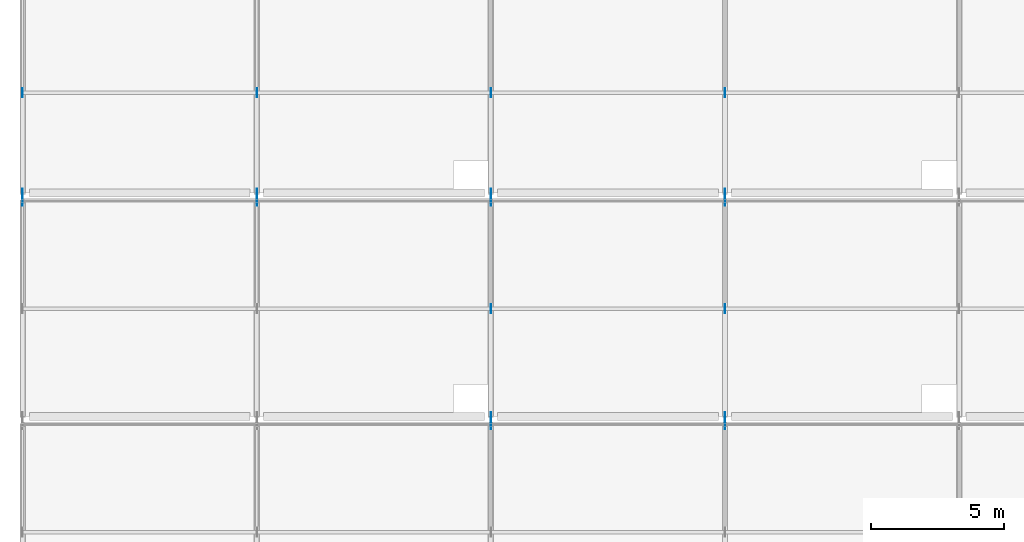
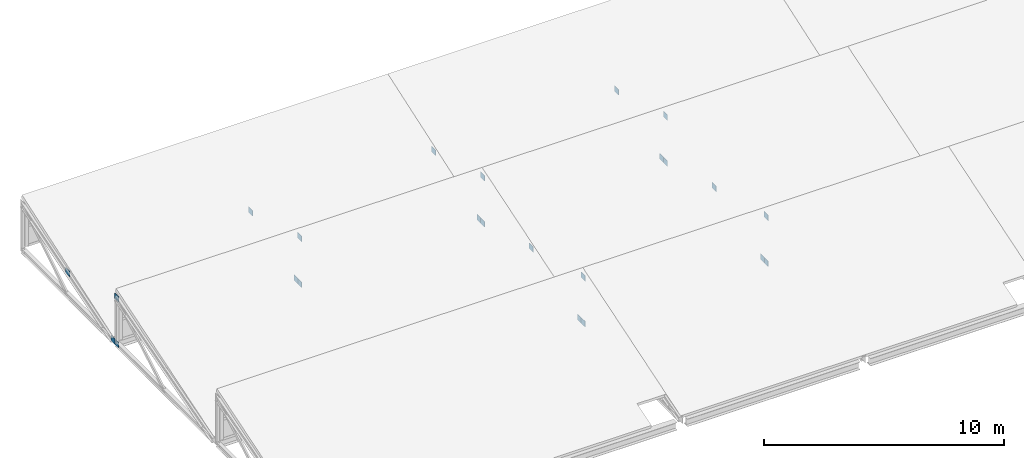
# One storey, part 31 of 40: 24 plates.
"""IFC4 building model written with IfcOpenShell, lengths in metres."""

import ifcopenshell
import ifcopenshell.guid

model = None  # the IFC model being written
_history = None  # IfcOwnerHistory: only IFC2X3 demands one
_inside = {}  # id of a spatial element -> (the spatial element, [elements in it])
_under = {}  # id of a project, library or spatial element -> (it, [spatial elements below it])
_declared = {}  # id of a project -> (the project, [libraries it declares])
_typed = {}  # id of a type object -> (the type object, [elements of that type])
_made_of = {}  # id of a material, layer set ... -> (it, [elements and type objects made of it])


def new_model(schema):
    """Start an empty IFC model of exactly this schema.

    Asked for "IFC4X3", IfcOpenShell would pick the latest addendum, in which some entities
    have other attributes; the version numbers below select the first issue.
    IFC2X3 requires an IfcOwnerHistory on every rooted entity: one is made here for all.
    """
    global model, _history
    if schema == "IFC4X3":
        model = ifcopenshell.file(schema_version=(4, 3, 0, 0))
    else:
        model = ifcopenshell.file(schema=schema)
    _inside.clear()
    _under.clear()
    _declared.clear()
    _typed.clear()
    _made_of.clear()
    _history = None
    if model.schema == "IFC2X3":
        org = make("IfcOrganization", Name="unknown")
        user = make(
            "IfcPersonAndOrganization",
            ThePerson=make("IfcPerson", FamilyName="unknown"),
            TheOrganization=org,
        )
        app = make(
            "IfcApplication",
            ApplicationDeveloper=org,
            Version="unknown",
            ApplicationFullName="unknown",
            ApplicationIdentifier="unknown",
        )
        _history = make(
            "IfcOwnerHistory",
            OwningUser=user,
            OwningApplication=app,
            ChangeAction="ADDED",
            CreationDate=0,
        )
    return model


def make(cls, **values):
    """One entity of the class cls with the attributes given. An attribute that is None is left unset."""
    return model.create_entity(
        cls, **{name: value for name, value in values.items() if value is not None}
    )


def rooted(cls, **values):
    """An entity with a GlobalId (a new one), such as an element, a storey or a relation."""
    return make(cls, GlobalId=ifcopenshell.guid.new(), OwnerHistory=_history, **values)


def si_unit(unit_type, name, prefix=None):
    """IfcSIUnit, for example si_unit("LENGTHUNIT", "METRE", prefix="MILLI")."""
    return make("IfcSIUnit", UnitType=unit_type, Prefix=prefix, Name=name)


def assignment(units):
    """IfcUnitAssignment: the units of a project."""
    return None if units is None else make("IfcUnitAssignment", Units=units)


def point(xyz):
    """IfcCartesianPoint."""
    return None if xyz is None else make("IfcCartesianPoint", Coordinates=xyz)


def direction(xyz):
    """IfcDirection."""
    return None if xyz is None else make("IfcDirection", DirectionRatios=xyz)


def frame(location, z_axis=None, x_axis=None):
    """IfcAxis2Placement3D, a coordinate frame: its origin and axes. An axis left out is left unset."""
    return make(
        "IfcAxis2Placement3D",
        Location=point(location),
        Axis=direction(z_axis),
        RefDirection=direction(x_axis),
    )


def frame_2d(location, x_axis=None):
    """IfcAxis2Placement2D, a coordinate frame in the plane: its origin and x axis."""
    return make(
        "IfcAxis2Placement2D", Location=point(location), RefDirection=direction(x_axis)
    )


def origin():
    """The frame at (0, 0, 0) with its axes left unset."""
    return frame((0.0, 0.0, 0.0))


def origin_2d():
    """The frame at (0, 0) in the plane with its x axis left unset."""
    return frame_2d((0.0, 0.0))


def place(relative_to, where):
    """IfcLocalPlacement: puts the frame where relative to a parent placement (None: the world)."""
    return make(
        "IfcLocalPlacement", PlacementRelTo=relative_to, RelativePlacement=where
    )


def context(
    kind, dimensions, precision=None, world=None, true_north=None, identifier=None
):
    """IfcGeometricRepresentationContext, for example the 3D "Model" context."""
    return make(
        "IfcGeometricRepresentationContext",
        ContextIdentifier=identifier,
        ContextType=kind,
        CoordinateSpaceDimension=dimensions,
        Precision=precision,
        WorldCoordinateSystem=world,
        TrueNorth=true_north,
    )


def subcontext(parent, identifier, kind, view, scale=None):
    """IfcGeometricRepresentationSubContext, for example "Body" below "Model"."""
    return make(
        "IfcGeometricRepresentationSubContext",
        ContextIdentifier=identifier,
        ContextType=kind,
        ParentContext=parent,
        TargetScale=scale,
        TargetView=view,
    )


def project(units=None, contexts=None):
    """IfcProject with its units and contexts."""
    return rooted(
        "IfcProject",
        Name="project",
        RepresentationContexts=contexts,
        UnitsInContext=assignment(units),
    )


def spatial(cls, under=None, at=None, **own):
    """A site, building, storey or space (cls), placed at a placement, below another one or the project."""
    s = rooted(cls, ObjectPlacement=at, **own)
    if under is not None:
        _under.setdefault(under.id(), (under, []))[1].append(s)
    return s


def profile(cls, at=None, kind="AREA", **sizes):
    """A parametric profile (cls). Its sizes go by their IFC names, for example OverallWidth=200.0."""
    return make(cls, ProfileType=kind, Position=at, **sizes)


def rectangle(**sizes):
    """IfcRectangleProfileDef."""
    return profile("IfcRectangleProfileDef", **sizes)


def extrude(swept, where, along, depth):
    """IfcExtrudedAreaSolid: the profile swept, set in the frame where, extruded along a direction by depth."""
    return make(
        "IfcExtrudedAreaSolid",
        SweptArea=swept,
        Position=where,
        ExtrudedDirection=direction(along),
        Depth=depth,
    )


def shape(context_of_items, identifier, shape_type, items):
    """IfcShapeRepresentation: the items that make up one representation, for example the "Body"."""
    return make(
        "IfcShapeRepresentation",
        ContextOfItems=context_of_items,
        RepresentationIdentifier=identifier,
        RepresentationType=shape_type,
        Items=items,
    )


def material(Name=None, Category=None):
    """IfcMaterial."""
    return make("IfcMaterial", Name=Name, Category=Category)


def layer(
    of_material, thickness, ventilated=None, Name=None, Category=None, Priority=None
):
    """IfcMaterialLayer: one layer of a wall or slab, of a material (None: an air gap)."""
    return make(
        "IfcMaterialLayer",
        Material=of_material,
        LayerThickness=thickness,
        IsVentilated=ventilated,
        Name=Name,
        Category=Category,
        Priority=Priority,
    )


def layer_set(layers, Name=None):
    """IfcMaterialLayerSet."""
    return make("IfcMaterialLayerSet", MaterialLayers=layers, LayerSetName=Name)


def made_of(thing, what):
    """Note that an element or type object is made of a material, layer set ...; save() writes the relation."""
    if what is not None:
        _made_of.setdefault(what.id(), (what, []))[1].append(thing)
    return thing


def type_object(cls, material=None, **own):
    """A type object (cls), such as IfcWallType, which elements share."""
    return made_of(rooted(cls, **own), material)


def element(
    cls,
    number,
    at=None,
    inside=None,
    cuts=None,
    type_object=None,
    material=None,
    context=None,
    identifier="Body",
    shape_type=None,
    held_by="IfcProductDefinitionShape",
    body=None,
    shapes=None,
    **own,
):
    """One element of the class cls, such as IfcWall. Its Tag is "e" and its number.

    at: its placement. inside: the storey or other place that contains it. cuts: it is an
    opening in that element (IfcRelVoidsElement). A single representation is given by context,
    identifier, shape_type and body (its items); several are given by shapes. held_by: the class
    of the entity that holds the representations. save() writes the other relations.
    """
    e = rooted(cls, Tag="e%d" % number, ObjectPlacement=at, **own)
    if body is not None:
        shapes = [shape(context, identifier, shape_type, body)]
    if shapes is not None:
        e.Representation = make(held_by, Representations=shapes)
    if inside is not None:
        _inside.setdefault(inside.id(), (inside, []))[1].append(e)
    if cuts is not None:
        rooted(
            "IfcRelVoidsElement", RelatingBuildingElement=cuts, RelatedOpeningElement=e
        )
    if type_object is not None:
        _typed.setdefault(type_object.id(), (type_object, []))[1].append(e)
    return made_of(e, material)


def aggregate(whole, parts):
    """IfcRelAggregates: a whole, such as a stair, and the parts it consists of."""
    return rooted("IfcRelAggregates", RelatingObject=whole, RelatedObjects=parts)


def save(model, path):
    """Write the relations noted so far, then the file.

    IfcRelAggregates (storeys below a building ...), IfcRelContainedInSpatialStructure (elements
    in a storey), IfcRelDefinesByType, IfcRelAssociatesMaterial and IfcRelDeclares: one each for
    every whole, place, type object, material and project.
    """
    for whole, parts in _under.values():
        aggregate(whole, parts)
    for where, things in _inside.values():
        rooted(
            "IfcRelContainedInSpatialStructure",
            RelatedElements=things,
            RelatingStructure=where,
        )
    for kind, things in _typed.values():
        rooted("IfcRelDefinesByType", RelatedObjects=things, RelatingType=kind)
    for what, things in _made_of.values():
        rooted("IfcRelAssociatesMaterial", RelatedObjects=things, RelatingMaterial=what)
    for by, libraries in _declared.values():
        rooted("IfcRelDeclares", RelatingContext=by, RelatedDefinitions=libraries)
    model.write(path)


model = new_model("IFC4")

# Units and contexts
model_context = context("Model", 3, precision=1e-05, world=origin(), true_north=direction((0.0, 1.0)))
body_context = subcontext(model_context, "Body", "Model", "MODEL_VIEW")
ifc_project = project(units=[si_unit("LENGTHUNIT", "METRE"), si_unit("AREAUNIT", "SQUARE_METRE"), si_unit("VOLUMEUNIT", "CUBIC_METRE"), si_unit("PLANEANGLEUNIT", "RADIAN"), si_unit("MASSUNIT", "GRAM", prefix="KILO")], contexts=[model_context])

# Site, building, storey
site_placement = place(None, origin())
site = spatial("IfcSite", under=ifc_project, at=site_placement, CompositionType="ELEMENT")
building_placement = place(site_placement, origin())
building = spatial("IfcBuilding", under=site, at=building_placement, Name="Brinegate Botanical Conservatory", CompositionType="ELEMENT")
storey_placement = place(building_placement, frame((0.0, 0.0, 19.199951171875)))
storey = spatial("IfcBuildingStorey", under=building, at=storey_placement, Name="L05", CompositionType="ELEMENT", Elevation=19.199951171875)

# Plates
ifc_material = material(Name="Welded node steel Q355GJ / S355", Category="steel")
ifc_layer = layer(ifc_material, 0.01806640625, Name="Welded node steel Q355GJ / S355", Category="steel")
ifc_layer_set = layer_set([ifc_layer], Name="Welded node steel Q355GJ / S355")
plate_type = type_object("IfcPlateType", Name="Plate_GS-02", PredefinedType="USERDEFINED", material=ifc_layer_set)
for number, where, z_axis, x_axis, name in (
    (1, (68.39990234375, 94.89990234375, -0.1201171875), (0.0, 0.0, 1.0), (1.0, 0.0, 0.0), "Sawtooth truss gusset node GS-02 B1.T3.NB"),
    (2, (68.39990234375, 94.89990234375, 2.2099609375), (0.0, 0.0, 1.0), (1.0, 0.0, 0.0), "Sawtooth truss gusset node GS-02 B1.T3.NT"),
    (3, (77.199951171875, 94.89990234375, -0.1201171875), (0.0, 0.0, 1.0), (1.0, 0.0, 0.0), "Sawtooth truss gusset node GS-02 B1.T4.NB"),
    (4, (77.199951171875, 94.89990234375, 2.2099609375), (0.0, 0.0, 1.0), (1.0, 0.0, 0.0), "Sawtooth truss gusset node GS-02 B1.T4.NT"),
    (5, (50.800048828125, 103.300048828125, -0.1201171875), (0.0, 0.0, 1.0), (1.0, 0.0, 0.0), "Sawtooth truss gusset node GS-02 B2.T1.NB"),
    (6, (50.800048828125, 103.300048828125, 2.2099609375), (0.0, 0.0, 1.0), (1.0, 0.0, 0.0), "Sawtooth truss gusset node GS-02 B2.T1.NT"),
    (7, (59.60009765625, 103.300048828125, -0.1201171875), (0.0, 0.0, 1.0), (1.0, 0.0, 0.0), "Sawtooth truss gusset node GS-02 B2.T2.NB"),
    (8, (59.60009765625, 103.300048828125, 2.2099609375), (0.0, 0.0, 1.0), (1.0, 0.0, 0.0), "Sawtooth truss gusset node GS-02 B2.T2.NT"),
    (9, (68.39990234375, 95.199951171875, -0.1201171875), (0.0, 0.0, 1.0), (1.0, 0.0, 0.0), "Sawtooth truss gusset node GS-02 B2.T3.S"),
    (10, (68.39990234375, 103.300048828125, -0.1201171875), (0.0, 0.0, 1.0), (1.0, 0.0, 0.0), "Sawtooth truss gusset node GS-02 B2.T3.NB"),
    (11, (68.39990234375, 103.300048828125, 2.2099609375), (0.0, 0.0, 1.0), (1.0, 0.0, 0.0), "Sawtooth truss gusset node GS-02 B2.T3.NT"),
    (12, (68.39990234375, 99.25, 1.044921875), (0.0, 0.0, 1.0), (1.0, 0.0, 0.0), "Sawtooth truss gusset node GS-02 B2.T3.M"),
    (13, (77.199951171875, 95.199951171875, -0.1201171875), (0.0, 0.0, 1.0), (1.0, 0.0, 0.0), "Sawtooth truss gusset node GS-02 B2.T4.S"),
    (14, (77.199951171875, 103.300048828125, -0.1201171875), (0.0, 0.0, 1.0), (1.0, 0.0, 0.0), "Sawtooth truss gusset node GS-02 B2.T4.NB"),
    (15, (77.199951171875, 103.300048828125, 2.2099609375), (0.0, 0.0, 1.0), (1.0, 0.0, 0.0), "Sawtooth truss gusset node GS-02 B2.T4.NT"),
    (16, (77.199951171875, 99.25, 1.044921875), (0.0, 0.0, 1.0), (1.0, 0.0, 0.0), "Sawtooth truss gusset node GS-02 B2.T4.M"),
    (17, (50.800048828125, 103.60009765625, -0.1201171875), (0.0, 0.0, 1.0), (1.0, 0.0, 0.0), "Sawtooth truss gusset node GS-02 B3.T1.S"),
    (18, (50.800048828125, 107.375, 1.044921875), (0.0, 0.0, 1.0), (1.0, 0.0, 0.0), "Sawtooth truss gusset node GS-02 B3.T1.M"),
    (19, (59.60009765625, 103.60009765625, -0.1201171875), (0.0, 0.0, 1.0), (1.0, 0.0, 0.0), "Sawtooth truss gusset node GS-02 B3.T2.S"),
    (20, (59.60009765625, 107.375, 1.044921875), (0.0, 0.0, 1.0), (1.0, 0.0, 0.0), "Sawtooth truss gusset node GS-02 B3.T2.M"),
    (21, (68.39990234375, 103.60009765625, -0.1201171875), (0.0, 0.0, 1.0), (1.0, 0.0, 0.0), "Sawtooth truss gusset node GS-02 B3.T3.S"),
    (22, (68.39990234375, 107.375, 1.044921875), (0.0, 0.0, 1.0), (1.0, 0.0, 0.0), "Sawtooth truss gusset node GS-02 B3.T3.M"),
    (23, (77.199951171875, 103.60009765625, -0.1201171875), (0.0, 0.0, 1.0), (1.0, 0.0, 0.0), "Sawtooth truss gusset node GS-02 B3.T4.S"),
    (24, (77.199951171875, 107.375, 1.044921875), (0.0, 0.0, 1.0), (1.0, 0.0, 0.0), "Sawtooth truss gusset node GS-02 B3.T4.M"),
):
    element("IfcPlate", number, at=place(storey_placement, frame(where, z_axis=z_axis, x_axis=x_axis)), inside=storey, type_object=plate_type, Name=name, ObjectType="GUSSET PLATE", PredefinedType="USERDEFINED", context=body_context, shape_type="SweptSolid", body=[
        extrude(rectangle(XDim=0.01806640625, YDim=0.340087890625, at=origin_2d()), origin(), (0.0, 0.0, 1.0), 0.280029296875),
    ])

save(model, "model.ifc")
